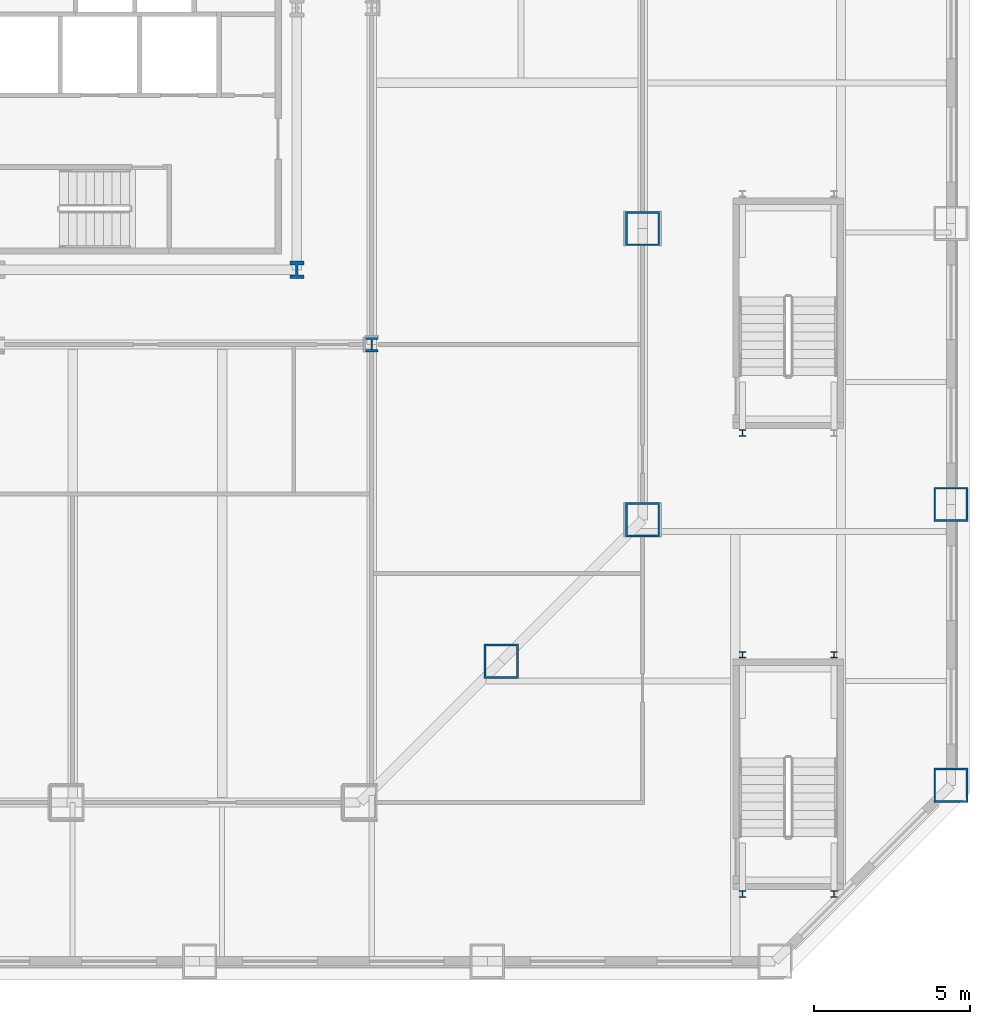
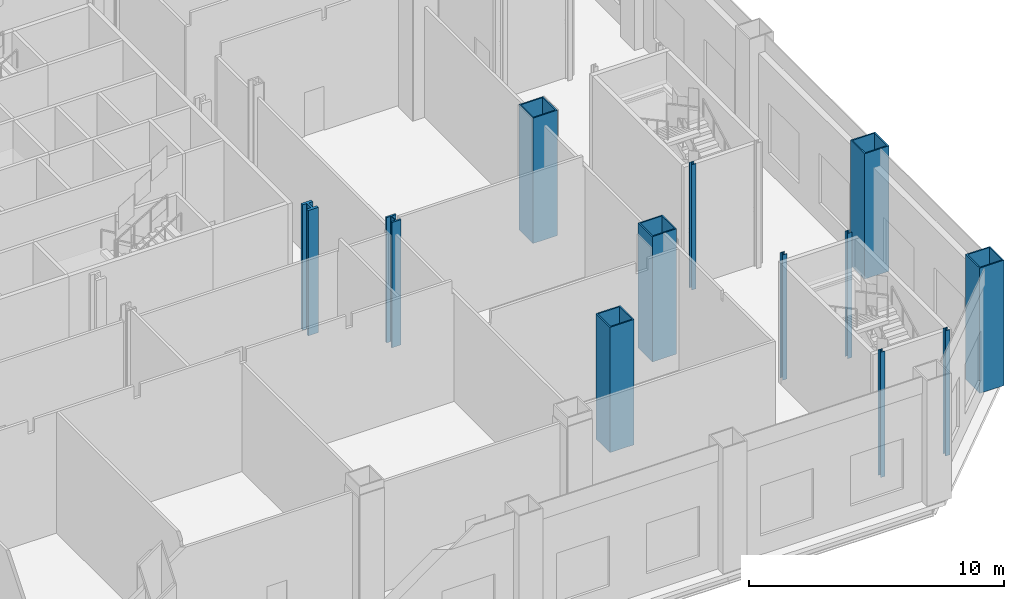
# One storey, part 5 of 31: 12 columns.
"""IFC4 building model written with IfcOpenShell, lengths in metres."""

from ifc_helpers import new_model, si_unit, direction, frame, origin, origin_2d, place, context, subcontext, project, spatial, hollow_rectangle, i_section, extrude, material, material_profile, profile_set, type_object, element, save


model = new_model("IFC4")

# Units and contexts
model_context = context("Model", 3, precision=1e-05, world=origin(), true_north=direction((0.0, 1.0)))
body_context = subcontext(model_context, "Body", "Model", "MODEL_VIEW")
ifc_project = project(units=[si_unit("LENGTHUNIT", "METRE"), si_unit("AREAUNIT", "SQUARE_METRE"), si_unit("VOLUMEUNIT", "CUBIC_METRE"), si_unit("PLANEANGLEUNIT", "RADIAN"), si_unit("MASSUNIT", "GRAM", prefix="KILO")], contexts=[model_context])

# Site, building, storey
site_placement = place(None, origin())
site = spatial("IfcSite", under=ifc_project, at=site_placement, CompositionType="ELEMENT")
building_placement = place(site_placement, origin())
building = spatial("IfcBuilding", under=site, at=building_placement, Name="Cairn Pilgrim Tower", CompositionType="ELEMENT")
storey_placement = place(building_placement, frame((0.0, 0.0, 9.0)))
storey = spatial("IfcBuildingStorey", under=building, at=storey_placement, Name="L01", CompositionType="ELEMENT", Elevation=9.0)

# Columns
ifc_material_1 = material(Name="Structural steel S460M", Category="steel")
ifc_material_profile_1 = material_profile(ifc_material_1, hollow_rectangle(XDim=1.10009765625, YDim=1.10009765625, WallThickness=0.06005859375, at=origin_2d()), Name="BOX 1100x1100x60")
ifc_profile_set_1 = profile_set([ifc_material_profile_1], Name="Structural steel S460M")
column_type_1 = type_object("IfcColumnType", Name="BOX 1100x1100x60", PredefinedType="COLUMN", material=ifc_profile_set_1)
for number, where, z_axis, x_axis, name in (
    (1, (23.363525390625, -18.563720703125, -0.199951171875), (0.0, 0.0, 1.0), (1.0, 0.0, 0.0), "PC1-SE2"),
    (2, (27.89990234375, -14.027099609375, -0.199951171875), (0.0, 0.0, 1.0), (1.0, 0.0, 0.0), "PC1-E1"),
    (3, (27.89990234375, -4.67578125, -0.199951171875), (0.0, 0.0, 1.0), (1.0, 0.0, 0.0), "PC1-E2"),
):
    element("IfcColumn", number, at=place(storey_placement, frame(where, z_axis=z_axis, x_axis=x_axis)), inside=storey, type_object=column_type_1, Name=name, PredefinedType="COLUMN", context=body_context, shape_type="SweptSolid", body=[
        extrude(hollow_rectangle(XDim=1.10009765625, YDim=1.10009765625, WallThickness=0.06005859375, at=origin_2d()), origin(), (0.0, 0.0, 1.0), 6.0),
    ])
ifc_material_profile_2 = material_profile(ifc_material_1, i_section(OverallWidth=0.4541015625, OverallDepth=0.569091796875, WebThickness=0.077880859375, FlangeThickness=0.125, FilletRadius=0.014892578125, at=origin_2d()), Name="HD 400x1086")
ifc_profile_set_2 = profile_set([ifc_material_profile_2], Name="Structural steel S460M")
column_type_2 = type_object("IfcColumnType", Name="HD 400x1086", PredefinedType="COLUMN", material=ifc_profile_set_2)
column_1_placement = place(storey_placement, frame((16.800048828125, -6.0, -0.199951171875), z_axis=(0.0, 0.0, 1.0), x_axis=(1.0, 0.0, 0.0)))
element("IfcColumn", 4, at=column_1_placement, inside=storey, type_object=column_type_2, Name="KC-3", PredefinedType="COLUMN", context=body_context, shape_type="SweptSolid", body=[
    extrude(i_section(OverallWidth=0.4541015625, OverallDepth=0.569091796875, WebThickness=0.077880859375, FlangeThickness=0.125, FilletRadius=0.014892578125, at=origin_2d()), origin(), (0.0, 0.0, 1.0), 6.0),
])
ifc_material_profile_3 = material_profile(ifc_material_1, i_section(OverallWidth=0.424072265625, OverallDepth=0.47412109375, WebThickness=0.047607421875, FlangeThickness=0.0771484375, FilletRadius=0.014892578125, at=origin_2d()), Name="HD 400x634")
ifc_profile_set_3 = profile_set([ifc_material_profile_3], Name="Structural steel S460M")
column_type_3 = type_object("IfcColumnType", Name="HD 400x634", PredefinedType="COLUMN", material=ifc_profile_set_3)
column_2_placement = place(storey_placement, frame((19.199951171875, -8.39990234375, -0.199951171875), z_axis=(0.0, 0.0, 1.0), x_axis=(1.0, 0.0, 0.0)))
element("IfcColumn", 5, at=column_2_placement, inside=storey, type_object=column_type_3, Name="IC-3", PredefinedType="COLUMN", context=body_context, shape_type="SweptSolid", body=[
    extrude(i_section(OverallWidth=0.424072265625, OverallDepth=0.47412109375, WebThickness=0.047607421875, FlangeThickness=0.0771484375, FilletRadius=0.014892578125, at=origin_2d()), origin(), (0.0, 0.0, 1.0), 6.0),
])
ifc_material_profile_4 = material_profile(ifc_material_1, hollow_rectangle(XDim=1.10009765625, YDim=1.10009765625, WallThickness=0.06005859375, at=origin_2d()), Name="BOX 1100x1100x60")
ifc_profile_set_4 = profile_set([ifc_material_profile_4], Name="Structural steel S460M")
column_type_4 = type_object("IfcColumnType", Name="PILOTIS CFT 1100", PredefinedType="COLUMN", material=ifc_profile_set_4)
for number, where, z_axis, x_axis, name in (
    (6, (37.800048828125, -22.551513671875, 0.0), (0.0, 0.0, 1.0), (1.0, 0.0, 0.0), "PILOTIS PL-E1"),
    (7, (37.800048828125, -13.531005859375, 0.0), (0.0, 0.0, 1.0), (1.0, 0.0, 0.0), "PILOTIS PL-E2"),
):
    element("IfcColumn", number, at=place(storey_placement, frame(where, z_axis=z_axis, x_axis=x_axis)), inside=storey, type_object=column_type_4, Name=name, PredefinedType="COLUMN", context=body_context, shape_type="SweptSolid", body=[
        extrude(hollow_rectangle(XDim=1.10009765625, YDim=1.10009765625, WallThickness=0.06005859375, at=origin_2d()), origin(), (0.0, 0.0, 1.0), 6.0),
    ])
ifc_material_2 = material(Name="Structural steel S355J2", Category="steel")
ifc_material_profile_5 = material_profile(ifc_material_2, i_section(OverallWidth=0.199951171875, OverallDepth=0.199951171875, WebThickness=0.009033203125, FlangeThickness=0.014892578125, FilletRadius=0.01806640625, at=origin_2d()), Name="HE 200 B")
ifc_profile_set_5 = profile_set([ifc_material_profile_5], Name="Structural steel S355J2")
column_type_5 = type_object("IfcColumnType", Name="STAIR POST HE 200 B", PredefinedType="COLUMN", material=ifc_profile_set_5)
for number, where, z_axis, x_axis, name in (
    (8, (31.10498046875, -18.360107421875, 0.0), (0.0, 0.0, 1.0), (1.0, 0.0, 0.0), "STAIR POST LP-ES1-NA"),
    (9, (34.044921875, -18.360107421875, 0.0), (0.0, 0.0, 1.0), (1.0, 0.0, 0.0), "STAIR POST LP-ES1-NB"),
    (10, (31.10498046875, -26.0400390625, 0.0), (0.0, 0.0, 1.0), (1.0, 0.0, 0.0), "STAIR POST LP-ES1-SA"),
    (11, (34.044921875, -26.0400390625, 0.0), (0.0, 0.0, 1.0), (1.0, 0.0, 0.0), "STAIR POST LP-ES1-SB"),
    (12, (31.10498046875, -11.239990234375, 0.0), (0.0, 0.0, 1.0), (1.0, 0.0, 0.0), "STAIR POST LP-ES2-SA"),
):
    element("IfcColumn", number, at=place(storey_placement, frame(where, z_axis=z_axis, x_axis=x_axis)), inside=storey, type_object=column_type_5, Name=name, PredefinedType="COLUMN", context=body_context, shape_type="SweptSolid", body=[
        extrude(i_section(OverallWidth=0.199951171875, OverallDepth=0.199951171875, WebThickness=0.009033203125, FlangeThickness=0.014892578125, FilletRadius=0.01806640625, at=origin_2d()), origin(), (0.0, 0.0, 1.0), 6.0),
    ])

save(model, "model.ifc")
